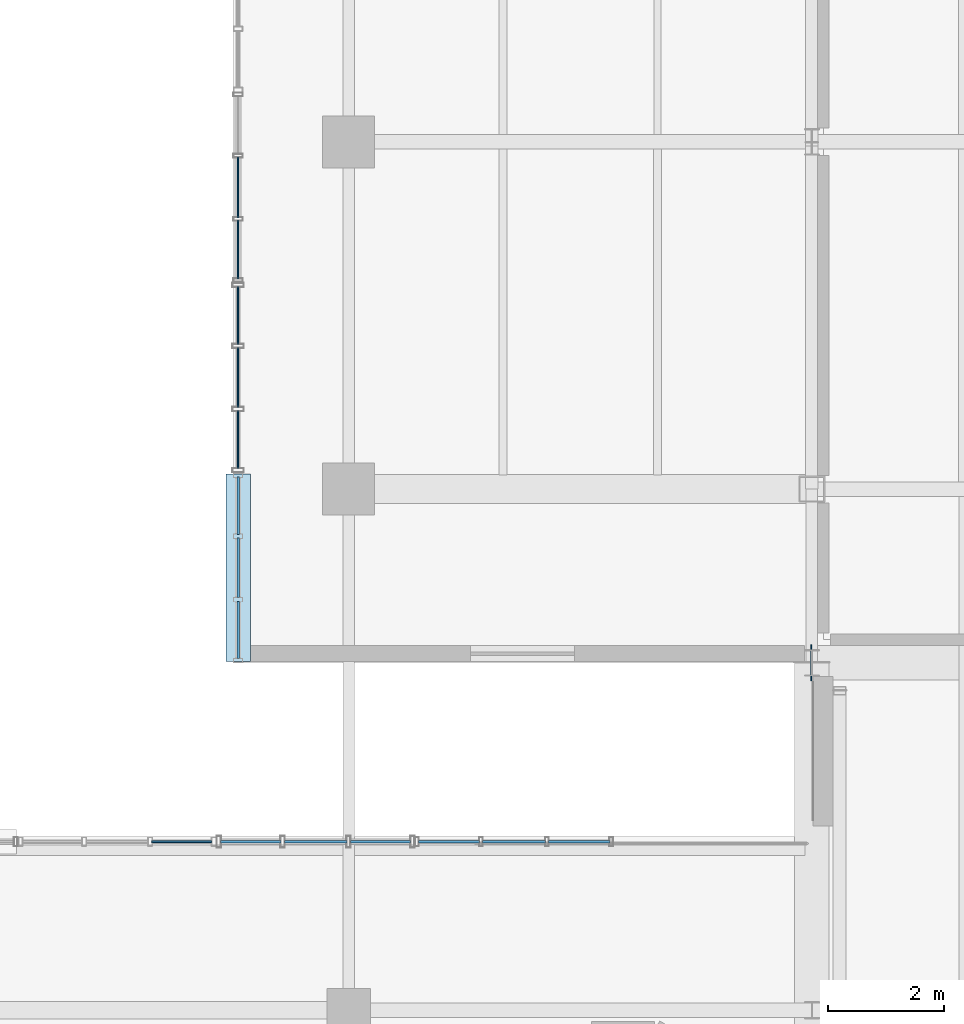
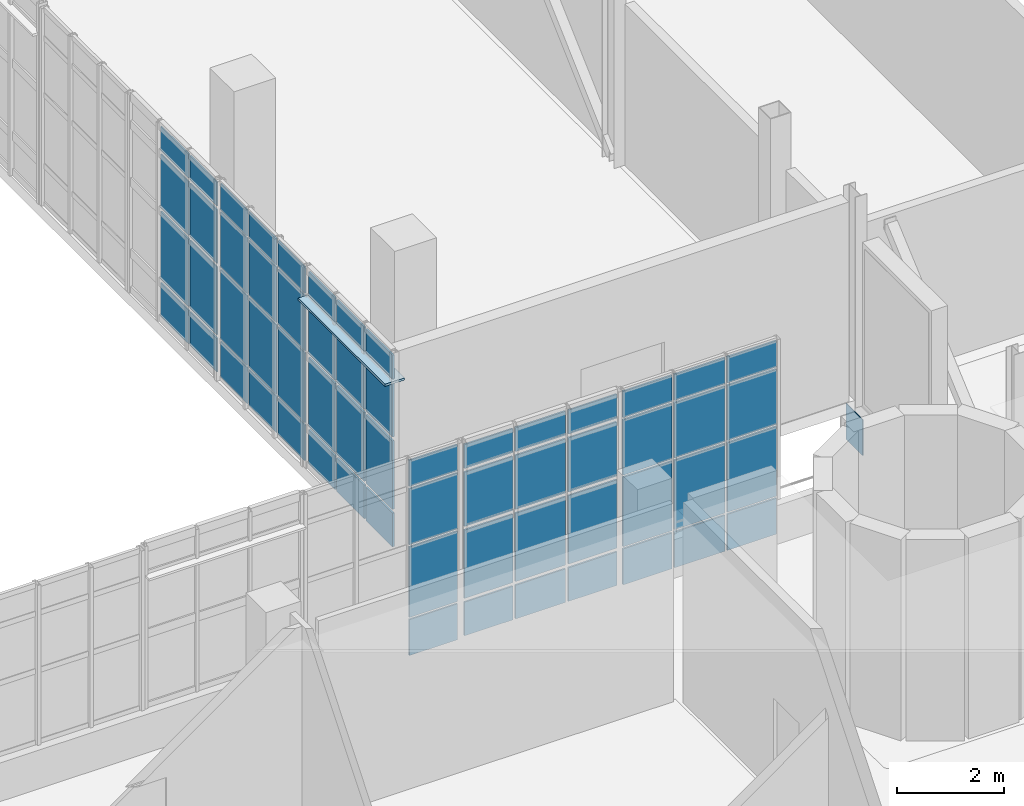
# One storey, part 69 of 102: 62 plates, 6 elements without a shape of their own.
"""IFC4 building model written with IfcOpenShell, lengths in metres."""

from ifc_helpers import new_model, si_unit, derived_unit, direction, frame, origin, origin_2d, place, context, subcontext, project, spatial, rectangle, extrude, material, layer, layer_set, type_object, element, aggregate, save


model = new_model("IFC4")

# Units and contexts
model_context = context("Model", 3, precision=1e-05, world=origin(), true_north=direction((0.0, 1.0)))
body_context = subcontext(model_context, "Body", "Model", "MODEL_VIEW")
ifc_project = project(units=[si_unit("LENGTHUNIT", "METRE"), si_unit("AREAUNIT", "SQUARE_METRE"), si_unit("VOLUMEUNIT", "CUBIC_METRE"), si_unit("PLANEANGLEUNIT", "RADIAN"), si_unit("MASSUNIT", "GRAM", prefix="KILO"), derived_unit("THERMALTRANSMITTANCEUNIT", [(si_unit("POWERUNIT", "WATT"), 1), (si_unit("LENGTHUNIT", "METRE"), -2), (si_unit("THERMODYNAMICTEMPERATUREUNIT", "KELVIN"), -1)])], contexts=[model_context])

# Site, building, storey
site_placement = place(None, origin())
site = spatial("IfcSite", under=ifc_project, at=site_placement, CompositionType="ELEMENT")
building_placement = place(site_placement, origin())
building = spatial("IfcBuilding", under=site, at=building_placement, Name="Nallur Shell Playhouse", CompositionType="ELEMENT")
storey_placement = place(building_placement, frame((0.0, 0.0, 15.0)))
storey = spatial("IfcBuildingStorey", under=building, at=storey_placement, Name="L04", CompositionType="ELEMENT", Elevation=15.0)

# Plate
ifc_material_1 = material(Name="Steel E350", Category="steel")
ifc_layer_1 = layer(ifc_material_1, 0.02001953125)
ifc_layer_set_1 = layer_set([ifc_layer_1], Name="Steel E350")
plate_type_1 = type_object("IfcPlateType", Name="PT-ENDCAP-20", PredefinedType="SHEET", material=ifc_layer_set_1)
plate_1_placement = place(storey_placement, frame((63.989990234375, 47.0, -1.06982421875), z_axis=(0.0, 0.0, 1.0), x_axis=(1.0, 0.0, 0.0)))
element("IfcPlate", 1, at=plate_1_placement, inside=storey, type_object=plate_type_1, Name="Hollow end cap EC-GB-L04-NA", PredefinedType="SHEET", context=body_context, shape_type="SweptSolid", body=[
    extrude(rectangle(XDim=0.02001953125, YDim=0.6201171875, at=origin_2d()), origin(), (0.0, 0.0, 1.0), 0.820068359375),
])

# Curtain wall, plates
ifc_material_2 = material(Name="Anodised Aluminium Double-Glazed Facade System", Category="aluminium")
ifc_layer_2 = layer(ifc_material_2, 0.1640625)
ifc_layer_set_2 = layer_set([ifc_layer_2], Name="Anodised Aluminium Double-Glazed Facade System")
curtain_wall_type_1 = type_object("IfcCurtainWallType", Name="CW-UNIT-25", PredefinedType="NOTDEFINED", material=ifc_layer_set_2)
curtain_wall_1_placement = place(storey_placement, origin())
curtain_wall_1 = element("IfcCurtainWall", 2, at=curtain_wall_1_placement, inside=storey, type_object=curtain_wall_type_1, Name="Unitised curtain wall CW-153 (L04)", PredefinedType="NOTDEFINED")
ifc_material_3 = material(Name="Solar-Control Low-E Laminated Insulating Glass", Category="glass")
ifc_layer_3 = layer(ifc_material_3, 0.02587890625)
ifc_layer_set_3 = layer_set([ifc_layer_3], Name="Solar-Control Low-E Laminated Insulating Glass")
plate_type_2 = type_object("IfcPlateType", Name="PT-GLZ-01", PredefinedType="CURTAIN_PANEL", material=ifc_layer_set_3)
plate_2_placement = place(storey_placement, frame((54.090087890625, 50.85546875, 0.05712890625), z_axis=(0.0, 0.0, 1.0), x_axis=(0.0, 1.0, 0.0)))
plate_2 = element("IfcPlate", 3, at=plate_2_placement, type_object=plate_type_2, Name="CW-25 panel 1.1", PredefinedType="CURTAIN_PANEL", context=body_context, shape_type="SweptSolid", body=[
    extrude(rectangle(XDim=0.995361328125, YDim=0.02587890625, at=origin_2d()), origin(), (0.0, 0.0, 1.0), 0.818603515625),
])
plate_3_placement = place(storey_placement, frame((54.090087890625, 50.85546875, 0.924560546875), z_axis=(0.0, 0.0, 1.0), x_axis=(0.0, 1.0, 0.0)))
plate_3 = element("IfcPlate", 4, at=plate_3_placement, type_object=plate_type_2, Name="CW-25 panel 1.2", PredefinedType="CURTAIN_PANEL", context=body_context, shape_type="SweptSolid", body=[
    extrude(rectangle(XDim=0.995361328125, YDim=0.02587890625, at=origin_2d()), origin(), (0.0, 0.0, 1.0), 1.587890625),
])
plate_4_placement = place(storey_placement, frame((54.090087890625, 50.85546875, 2.5615234375), z_axis=(0.0, 0.0, 1.0), x_axis=(0.0, 1.0, 0.0)))
plate_4 = element("IfcPlate", 5, at=plate_4_placement, type_object=plate_type_2, Name="CW-25 panel 1.3", PredefinedType="CURTAIN_PANEL", context=body_context, shape_type="SweptSolid", body=[
    extrude(rectangle(XDim=0.995361328125, YDim=0.02587890625, at=origin_2d()), origin(), (0.0, 0.0, 1.0), 1.263916015625),
])
plate_5_placement = place(storey_placement, frame((54.090087890625, 50.85546875, 3.87451171875), z_axis=(0.0, 0.0, 1.0), x_axis=(0.0, 1.0, 0.0)))
plate_5 = element("IfcPlate", 6, at=plate_5_placement, type_object=plate_type_2, Name="CW-25 panel 1.4", PredefinedType="CURTAIN_PANEL", context=body_context, shape_type="SweptSolid", body=[
    extrude(rectangle(XDim=0.995361328125, YDim=0.02587890625, at=origin_2d()), origin(), (0.0, 0.0, 1.0), 0.598388671875),
])
plate_6_placement = place(storey_placement, frame((54.090087890625, 51.928466796875, 0.05712890625), z_axis=(0.0, 0.0, 1.0), x_axis=(0.0, 1.0, 0.0)))
plate_6 = element("IfcPlate", 7, at=plate_6_placement, type_object=plate_type_2, Name="CW-25 panel 2.1", PredefinedType="CURTAIN_PANEL", context=body_context, shape_type="SweptSolid", body=[
    extrude(rectangle(XDim=1.032958984375, YDim=0.02587890625, at=origin_2d()), origin(), (0.0, 0.0, 1.0), 0.818603515625),
])
plate_7_placement = place(storey_placement, frame((54.090087890625, 51.928466796875, 0.924560546875), z_axis=(0.0, 0.0, 1.0), x_axis=(0.0, 1.0, 0.0)))
plate_7 = element("IfcPlate", 8, at=plate_7_placement, type_object=plate_type_2, Name="CW-25 panel 2.2", PredefinedType="CURTAIN_PANEL", context=body_context, shape_type="SweptSolid", body=[
    extrude(rectangle(XDim=1.032958984375, YDim=0.02587890625, at=origin_2d()), origin(), (0.0, 0.0, 1.0), 1.587890625),
])
plate_8_placement = place(storey_placement, frame((54.090087890625, 51.928466796875, 2.5615234375), z_axis=(0.0, 0.0, 1.0), x_axis=(0.0, 1.0, 0.0)))
plate_8 = element("IfcPlate", 9, at=plate_8_placement, type_object=plate_type_2, Name="CW-25 panel 2.3", PredefinedType="CURTAIN_PANEL", context=body_context, shape_type="SweptSolid", body=[
    extrude(rectangle(XDim=1.032958984375, YDim=0.02587890625, at=origin_2d()), origin(), (0.0, 0.0, 1.0), 1.263916015625),
])
plate_9_placement = place(storey_placement, frame((54.090087890625, 51.928466796875, 3.87451171875), z_axis=(0.0, 0.0, 1.0), x_axis=(0.0, 1.0, 0.0)))
plate_9 = element("IfcPlate", 10, at=plate_9_placement, type_object=plate_type_2, Name="CW-25 panel 2.4", PredefinedType="CURTAIN_PANEL", context=body_context, shape_type="SweptSolid", body=[
    extrude(rectangle(XDim=1.032958984375, YDim=0.02587890625, at=origin_2d()), origin(), (0.0, 0.0, 1.0), 0.598388671875),
])
plate_10_placement = place(storey_placement, frame((54.090087890625, 53.001708984375, 0.05712890625), z_axis=(0.0, 0.0, 1.0), x_axis=(0.0, 1.0, 0.0)))
plate_10 = element("IfcPlate", 11, at=plate_10_placement, type_object=plate_type_2, Name="CW-25 panel 3.1", PredefinedType="CURTAIN_PANEL", context=body_context, shape_type="SweptSolid", body=[
    extrude(rectangle(XDim=0.995361328125, YDim=0.02587890625, at=origin_2d()), origin(), (0.0, 0.0, 1.0), 0.818603515625),
])
plate_11_placement = place(storey_placement, frame((54.090087890625, 53.001708984375, 0.924560546875), z_axis=(0.0, 0.0, 1.0), x_axis=(0.0, 1.0, 0.0)))
plate_11 = element("IfcPlate", 12, at=plate_11_placement, type_object=plate_type_2, Name="CW-25 panel 3.2", PredefinedType="CURTAIN_PANEL", context=body_context, shape_type="SweptSolid", body=[
    extrude(rectangle(XDim=0.995361328125, YDim=0.02587890625, at=origin_2d()), origin(), (0.0, 0.0, 1.0), 1.587890625),
])
plate_12_placement = place(storey_placement, frame((54.090087890625, 53.001708984375, 2.5615234375), z_axis=(0.0, 0.0, 1.0), x_axis=(0.0, 1.0, 0.0)))
plate_12 = element("IfcPlate", 13, at=plate_12_placement, type_object=plate_type_2, Name="CW-25 panel 3.3", PredefinedType="CURTAIN_PANEL", context=body_context, shape_type="SweptSolid", body=[
    extrude(rectangle(XDim=0.995361328125, YDim=0.02587890625, at=origin_2d()), origin(), (0.0, 0.0, 1.0), 1.263916015625),
])
plate_13_placement = place(storey_placement, frame((54.090087890625, 53.001708984375, 3.87451171875), z_axis=(0.0, 0.0, 1.0), x_axis=(0.0, 1.0, 0.0)))
plate_13 = element("IfcPlate", 14, at=plate_13_placement, type_object=plate_type_2, Name="CW-25 panel 3.4", PredefinedType="CURTAIN_PANEL", context=body_context, shape_type="SweptSolid", body=[
    extrude(rectangle(XDim=0.995361328125, YDim=0.02587890625, at=origin_2d()), origin(), (0.0, 0.0, 1.0), 0.598388671875),
])
aggregate(curtain_wall_1, [plate_2, plate_3, plate_4, plate_5, plate_6, plate_7, plate_8, plate_9, plate_10, plate_11, plate_12, plate_13])

ifc_layer_4 = layer(ifc_material_2, 0.16796875)
ifc_layer_set_4 = layer_set([ifc_layer_4], Name="Anodised Aluminium Double-Glazed Facade System")
curtain_wall_type_2 = type_object("IfcCurtainWallType", Name="CW-UNIT-26", PredefinedType="NOTDEFINED", material=ifc_layer_set_4)
curtain_wall_2_placement = place(storey_placement, origin())
curtain_wall_2 = element("IfcCurtainWall", 15, at=curtain_wall_2_placement, inside=storey, type_object=curtain_wall_type_2, Name="Unitised curtain wall CW-154 (L04)", PredefinedType="NOTDEFINED")
ifc_layer_5 = layer(ifc_material_3, 0.028076171875)
ifc_layer_set_5 = layer_set([ifc_layer_5], Name="Solar-Control Low-E Laminated Insulating Glass")
plate_type_3 = type_object("IfcPlateType", Name="PT-GLZ-02", PredefinedType="CURTAIN_PANEL", material=ifc_layer_set_5)
plate_14_placement = place(storey_placement, frame((54.090087890625, 54.138671875, 0.092041015625), z_axis=(0.0, 0.0, 1.0), x_axis=(0.0, 1.0, 0.0)))
plate_14 = element("IfcPlate", 16, at=plate_14_placement, type_object=plate_type_3, Name="CW-26 panel 1.1", PredefinedType="CURTAIN_PANEL", context=body_context, shape_type="SweptSolid", body=[
    extrude(rectangle(XDim=1.010498046875, YDim=0.028076171875, at=origin_2d()), origin(), (0.0, 0.0, 1.0), 0.76611328125),
])
plate_15_placement = place(storey_placement, frame((54.090087890625, 54.138671875, 0.94189453125), z_axis=(0.0, 0.0, 1.0), x_axis=(0.0, 1.0, 0.0)))
plate_15 = element("IfcPlate", 17, at=plate_15_placement, type_object=plate_type_3, Name="CW-26 panel 1.2", PredefinedType="CURTAIN_PANEL", context=body_context, shape_type="SweptSolid", body=[
    extrude(rectangle(XDim=1.010498046875, YDim=0.028076171875, at=origin_2d()), origin(), (0.0, 0.0, 1.0), 1.5419921875),
])
plate_16_placement = place(storey_placement, frame((54.090087890625, 54.138671875, 2.56787109375), z_axis=(0.0, 0.0, 1.0), x_axis=(0.0, 1.0, 0.0)))
plate_16 = element("IfcPlate", 18, at=plate_16_placement, type_object=plate_type_3, Name="CW-26 panel 1.3", PredefinedType="CURTAIN_PANEL", context=body_context, shape_type="SweptSolid", body=[
    extrude(rectangle(XDim=1.010498046875, YDim=0.028076171875, at=origin_2d()), origin(), (0.0, 0.0, 1.0), 1.219970703125),
])
plate_17_placement = place(storey_placement, frame((54.090087890625, 54.138671875, 3.8720703125), z_axis=(0.0, 0.0, 1.0), x_axis=(0.0, 1.0, 0.0)))
plate_17 = element("IfcPlate", 19, at=plate_17_placement, type_object=plate_type_3, Name="CW-26 panel 1.4", PredefinedType="CURTAIN_PANEL", context=body_context, shape_type="SweptSolid", body=[
    extrude(rectangle(XDim=1.010498046875, YDim=0.028076171875, at=origin_2d()), origin(), (0.0, 0.0, 1.0), 0.5458984375),
])
plate_18_placement = place(storey_placement, frame((54.090087890625, 55.21435546875, 0.092041015625), z_axis=(0.0, 0.0, 1.0), x_axis=(0.0, 1.0, 0.0)))
plate_18 = element("IfcPlate", 20, at=plate_18_placement, type_object=plate_type_3, Name="CW-26 panel 2.1", PredefinedType="CURTAIN_PANEL", context=body_context, shape_type="SweptSolid", body=[
    extrude(rectangle(XDim=1.04296875, YDim=0.028076171875, at=origin_2d()), origin(), (0.0, 0.0, 1.0), 0.76611328125),
])
plate_19_placement = place(storey_placement, frame((54.090087890625, 55.21435546875, 0.94189453125), z_axis=(0.0, 0.0, 1.0), x_axis=(0.0, 1.0, 0.0)))
plate_19 = element("IfcPlate", 21, at=plate_19_placement, type_object=plate_type_3, Name="CW-26 panel 2.2", PredefinedType="CURTAIN_PANEL", context=body_context, shape_type="SweptSolid", body=[
    extrude(rectangle(XDim=1.04296875, YDim=0.028076171875, at=origin_2d()), origin(), (0.0, 0.0, 1.0), 1.5419921875),
])
plate_20_placement = place(storey_placement, frame((54.090087890625, 55.21435546875, 2.56787109375), z_axis=(0.0, 0.0, 1.0), x_axis=(0.0, 1.0, 0.0)))
plate_20 = element("IfcPlate", 22, at=plate_20_placement, type_object=plate_type_3, Name="CW-26 panel 2.3", PredefinedType="CURTAIN_PANEL", context=body_context, shape_type="SweptSolid", body=[
    extrude(rectangle(XDim=1.04296875, YDim=0.028076171875, at=origin_2d()), origin(), (0.0, 0.0, 1.0), 1.219970703125),
])
plate_21_placement = place(storey_placement, frame((54.090087890625, 55.21435546875, 3.8720703125), z_axis=(0.0, 0.0, 1.0), x_axis=(0.0, 1.0, 0.0)))
plate_21 = element("IfcPlate", 23, at=plate_21_placement, type_object=plate_type_3, Name="CW-26 panel 2.4", PredefinedType="CURTAIN_PANEL", context=body_context, shape_type="SweptSolid", body=[
    extrude(rectangle(XDim=1.04296875, YDim=0.028076171875, at=origin_2d()), origin(), (0.0, 0.0, 1.0), 0.5458984375),
])
aggregate(curtain_wall_2, [plate_14, plate_15, plate_16, plate_17, plate_18, plate_19, plate_20, plate_21])

ifc_layer_6 = layer(ifc_material_2, 0.172119140625)
ifc_layer_set_6 = layer_set([ifc_layer_6], Name="Anodised Aluminium Double-Glazed Facade System")
curtain_wall_type_3 = type_object("IfcCurtainWallType", Name="CW-UNIT-21", PredefinedType="NOTDEFINED", material=ifc_layer_set_6)
curtain_wall_3_placement = place(storey_placement, origin())
curtain_wall_3 = element("IfcCurtainWall", 24, at=curtain_wall_3_placement, inside=storey, type_object=curtain_wall_type_3, Name="Unitised curtain wall CW-149 (L04)", PredefinedType="NOTDEFINED")
ifc_layer_7 = layer(ifc_material_3, 0.033935546875)
ifc_layer_set_7 = layer_set([ifc_layer_7], Name="Solar-Control Low-E Laminated Insulating Glass")
plate_type_4 = type_object("IfcPlateType", Name="PT-GLZ-05", PredefinedType="CURTAIN_PANEL", material=ifc_layer_set_7)
plate_22_placement = place(storey_placement, frame((53.11962890625, 43.909912109375, 0.05712890625), z_axis=(0.0, 0.0, 1.0), x_axis=(1.0, 0.0, 0.0)))
plate_22 = element("IfcPlate", 25, at=plate_22_placement, type_object=plate_type_4, Name="CW-21 panel 3.1", PredefinedType="CURTAIN_PANEL", context=body_context, shape_type="SweptSolid", body=[
    extrude(rectangle(XDim=1.03564453125, YDim=0.033935546875, at=origin_2d()), origin(), (0.0, 0.0, 1.0), 0.818603515625),
])
plate_23_placement = place(storey_placement, frame((53.11962890625, 43.909912109375, 0.924560546875), z_axis=(0.0, 0.0, 1.0), x_axis=(1.0, 0.0, 0.0)))
plate_23 = element("IfcPlate", 26, at=plate_23_placement, type_object=plate_type_4, Name="CW-21 panel 3.2", PredefinedType="CURTAIN_PANEL", context=body_context, shape_type="SweptSolid", body=[
    extrude(rectangle(XDim=1.03564453125, YDim=0.033935546875, at=origin_2d()), origin(), (0.0, 0.0, 1.0), 1.60498046875),
])
plate_24_placement = place(storey_placement, frame((53.11962890625, 43.909912109375, 2.57861328125), z_axis=(0.0, 0.0, 1.0), x_axis=(1.0, 0.0, 0.0)))
plate_24 = element("IfcPlate", 27, at=plate_24_placement, type_object=plate_type_4, Name="CW-21 panel 3.3", PredefinedType="CURTAIN_PANEL", context=body_context, shape_type="SweptSolid", body=[
    extrude(rectangle(XDim=1.03564453125, YDim=0.033935546875, at=origin_2d()), origin(), (0.0, 0.0, 1.0), 1.277099609375),
])
plate_25_placement = place(storey_placement, frame((53.11962890625, 43.909912109375, 3.90478515625), z_axis=(0.0, 0.0, 1.0), x_axis=(1.0, 0.0, 0.0)))
plate_25 = element("IfcPlate", 28, at=plate_25_placement, type_object=plate_type_4, Name="CW-21 panel 3.4", PredefinedType="CURTAIN_PANEL", context=body_context, shape_type="SweptSolid", body=[
    extrude(rectangle(XDim=1.03564453125, YDim=0.033935546875, at=origin_2d()), origin(), (0.0, 0.0, 1.0), 0.598388671875),
])
aggregate(curtain_wall_3, [plate_22, plate_23, plate_24, plate_25])

ifc_layer_8 = layer(ifc_material_2, 0.176025390625)
ifc_layer_set_8 = layer_set([ifc_layer_8], Name="Anodised Aluminium Double-Glazed Facade System")
curtain_wall_type_4 = type_object("IfcCurtainWallType", Name="CW-UNIT-22", PredefinedType="NOTDEFINED", material=ifc_layer_set_8)
curtain_wall_4_placement = place(storey_placement, origin())
curtain_wall_4 = element("IfcCurtainWall", 29, at=curtain_wall_4_placement, inside=storey, type_object=curtain_wall_type_4, Name="Unitised curtain wall CW-150 (L04)", PredefinedType="NOTDEFINED")
ifc_layer_9 = layer(ifc_material_3, 0.035888671875)
ifc_layer_set_9 = layer_set([ifc_layer_9], Name="Solar-Control Low-E Laminated Insulating Glass")
plate_type_5 = type_object("IfcPlateType", Name="PT-GLZ-06", PredefinedType="CURTAIN_PANEL", material=ifc_layer_set_9)
plate_26_placement = place(storey_placement, frame((54.307861328125, 43.909912109375, 0.092041015625), z_axis=(0.0, 0.0, 1.0), x_axis=(1.0, 0.0, 0.0)))
plate_26 = element("IfcPlate", 30, at=plate_26_placement, type_object=plate_type_5, Name="CW-22 panel 1.1", PredefinedType="CURTAIN_PANEL", context=body_context, shape_type="SweptSolid", body=[
    extrude(rectangle(XDim=1.04296875, YDim=0.035888671875, at=origin_2d()), origin(), (0.0, 0.0, 1.0), 0.76611328125),
])
plate_27_placement = place(storey_placement, frame((54.307861328125, 43.909912109375, 0.94189453125), z_axis=(0.0, 0.0, 1.0), x_axis=(1.0, 0.0, 0.0)))
plate_27 = element("IfcPlate", 31, at=plate_27_placement, type_object=plate_type_5, Name="CW-22 panel 1.2", PredefinedType="CURTAIN_PANEL", context=body_context, shape_type="SweptSolid", body=[
    extrude(rectangle(XDim=1.04296875, YDim=0.035888671875, at=origin_2d()), origin(), (0.0, 0.0, 1.0), 1.55810546875),
])
plate_28_placement = place(storey_placement, frame((54.307861328125, 43.909912109375, 2.583984375), z_axis=(0.0, 0.0, 1.0), x_axis=(1.0, 0.0, 0.0)))
plate_28 = element("IfcPlate", 32, at=plate_28_placement, type_object=plate_type_5, Name="CW-22 panel 1.3", PredefinedType="CURTAIN_PANEL", context=body_context, shape_type="SweptSolid", body=[
    extrude(rectangle(XDim=1.04296875, YDim=0.035888671875, at=origin_2d()), origin(), (0.0, 0.0, 1.0), 1.23388671875),
])
plate_29_placement = place(storey_placement, frame((54.307861328125, 43.909912109375, 3.902099609375), z_axis=(0.0, 0.0, 1.0), x_axis=(1.0, 0.0, 0.0)))
plate_29 = element("IfcPlate", 33, at=plate_29_placement, type_object=plate_type_5, Name="CW-22 panel 1.4", PredefinedType="CURTAIN_PANEL", context=body_context, shape_type="SweptSolid", body=[
    extrude(rectangle(XDim=1.04296875, YDim=0.035888671875, at=origin_2d()), origin(), (0.0, 0.0, 1.0), 0.5458984375),
])
plate_30_placement = place(storey_placement, frame((55.4287109375, 43.909912109375, 0.092041015625), z_axis=(0.0, 0.0, 1.0), x_axis=(1.0, 0.0, 0.0)))
plate_30 = element("IfcPlate", 34, at=plate_30_placement, type_object=plate_type_5, Name="CW-22 panel 2.1", PredefinedType="CURTAIN_PANEL", context=body_context, shape_type="SweptSolid", body=[
    extrude(rectangle(XDim=1.08056640625, YDim=0.035888671875, at=origin_2d()), origin(), (0.0, 0.0, 1.0), 0.76611328125),
])
plate_31_placement = place(storey_placement, frame((55.4287109375, 43.909912109375, 0.94189453125), z_axis=(0.0, 0.0, 1.0), x_axis=(1.0, 0.0, 0.0)))
plate_31 = element("IfcPlate", 35, at=plate_31_placement, type_object=plate_type_5, Name="CW-22 panel 2.2", PredefinedType="CURTAIN_PANEL", context=body_context, shape_type="SweptSolid", body=[
    extrude(rectangle(XDim=1.08056640625, YDim=0.035888671875, at=origin_2d()), origin(), (0.0, 0.0, 1.0), 1.55810546875),
])
plate_32_placement = place(storey_placement, frame((55.4287109375, 43.909912109375, 2.583984375), z_axis=(0.0, 0.0, 1.0), x_axis=(1.0, 0.0, 0.0)))
plate_32 = element("IfcPlate", 36, at=plate_32_placement, type_object=plate_type_5, Name="CW-22 panel 2.3", PredefinedType="CURTAIN_PANEL", context=body_context, shape_type="SweptSolid", body=[
    extrude(rectangle(XDim=1.08056640625, YDim=0.035888671875, at=origin_2d()), origin(), (0.0, 0.0, 1.0), 1.23388671875),
])
plate_33_placement = place(storey_placement, frame((55.4287109375, 43.909912109375, 3.902099609375), z_axis=(0.0, 0.0, 1.0), x_axis=(1.0, 0.0, 0.0)))
plate_33 = element("IfcPlate", 37, at=plate_33_placement, type_object=plate_type_5, Name="CW-22 panel 2.4", PredefinedType="CURTAIN_PANEL", context=body_context, shape_type="SweptSolid", body=[
    extrude(rectangle(XDim=1.08056640625, YDim=0.035888671875, at=origin_2d()), origin(), (0.0, 0.0, 1.0), 0.5458984375),
])
plate_34_placement = place(storey_placement, frame((56.54931640625, 43.909912109375, 0.092041015625), z_axis=(0.0, 0.0, 1.0), x_axis=(1.0, 0.0, 0.0)))
plate_34 = element("IfcPlate", 38, at=plate_34_placement, type_object=plate_type_5, Name="CW-22 panel 3.1", PredefinedType="CURTAIN_PANEL", context=body_context, shape_type="SweptSolid", body=[
    extrude(rectangle(XDim=1.04296875, YDim=0.035888671875, at=origin_2d()), origin(), (0.0, 0.0, 1.0), 0.76611328125),
])
plate_35_placement = place(storey_placement, frame((56.54931640625, 43.909912109375, 0.94189453125), z_axis=(0.0, 0.0, 1.0), x_axis=(1.0, 0.0, 0.0)))
plate_35 = element("IfcPlate", 39, at=plate_35_placement, type_object=plate_type_5, Name="CW-22 panel 3.2", PredefinedType="CURTAIN_PANEL", context=body_context, shape_type="SweptSolid", body=[
    extrude(rectangle(XDim=1.04296875, YDim=0.035888671875, at=origin_2d()), origin(), (0.0, 0.0, 1.0), 1.55810546875),
])
plate_36_placement = place(storey_placement, frame((56.54931640625, 43.909912109375, 2.583984375), z_axis=(0.0, 0.0, 1.0), x_axis=(1.0, 0.0, 0.0)))
plate_36 = element("IfcPlate", 40, at=plate_36_placement, type_object=plate_type_5, Name="CW-22 panel 3.3", PredefinedType="CURTAIN_PANEL", context=body_context, shape_type="SweptSolid", body=[
    extrude(rectangle(XDim=1.04296875, YDim=0.035888671875, at=origin_2d()), origin(), (0.0, 0.0, 1.0), 1.23388671875),
])
plate_37_placement = place(storey_placement, frame((56.54931640625, 43.909912109375, 3.902099609375), z_axis=(0.0, 0.0, 1.0), x_axis=(1.0, 0.0, 0.0)))
plate_37 = element("IfcPlate", 41, at=plate_37_placement, type_object=plate_type_5, Name="CW-22 panel 3.4", PredefinedType="CURTAIN_PANEL", context=body_context, shape_type="SweptSolid", body=[
    extrude(rectangle(XDim=1.04296875, YDim=0.035888671875, at=origin_2d()), origin(), (0.0, 0.0, 1.0), 0.5458984375),
])
aggregate(curtain_wall_4, [plate_26, plate_27, plate_28, plate_29, plate_30, plate_31, plate_32, plate_33, plate_34, plate_35, plate_36, plate_37])

ifc_layer_10 = layer(ifc_material_2, 0.179931640625)
ifc_layer_set_10 = layer_set([ifc_layer_10], Name="Anodised Aluminium Double-Glazed Facade System")
curtain_wall_type_5 = type_object("IfcCurtainWallType", Name="CW-UNIT-23", PredefinedType="NOTDEFINED", material=ifc_layer_set_10)
curtain_wall_5_placement = place(storey_placement, origin())
curtain_wall_5 = element("IfcCurtainWall", 42, at=curtain_wall_5_placement, inside=storey, type_object=curtain_wall_type_5, Name="Unitised curtain wall CW-151 (L04)", PredefinedType="NOTDEFINED")
ifc_layer_11 = layer(ifc_material_3, 0.0380859375)
ifc_layer_set_11 = layer_set([ifc_layer_11], Name="Solar-Control Low-E Laminated Insulating Glass")
plate_type_6 = type_object("IfcPlateType", Name="PT-GLZ-07", PredefinedType="CURTAIN_PANEL", material=ifc_layer_set_11)
plate_38_placement = place(storey_placement, frame((57.73388671875, 43.909912109375, 0.05712890625), z_axis=(0.0, 0.0, 1.0), x_axis=(1.0, 0.0, 0.0)))
plate_38 = element("IfcPlate", 43, at=plate_38_placement, type_object=plate_type_6, Name="CW-23 panel 1.1", PredefinedType="CURTAIN_PANEL", context=body_context, shape_type="SweptSolid", body=[
    extrude(rectangle(XDim=1.05810546875, YDim=0.0380859375, at=origin_2d()), origin(), (0.0, 0.0, 1.0), 0.818603515625),
])
plate_39_placement = place(storey_placement, frame((57.73388671875, 43.909912109375, 0.924560546875), z_axis=(0.0, 0.0, 1.0), x_axis=(1.0, 0.0, 0.0)))
plate_39 = element("IfcPlate", 44, at=plate_39_placement, type_object=plate_type_6, Name="CW-23 panel 1.2", PredefinedType="CURTAIN_PANEL", context=body_context, shape_type="SweptSolid", body=[
    extrude(rectangle(XDim=1.05810546875, YDim=0.0380859375, at=origin_2d()), origin(), (0.0, 0.0, 1.0), 1.58203125),
])
plate_40_placement = place(storey_placement, frame((57.73388671875, 43.909912109375, 2.5556640625), z_axis=(0.0, 0.0, 1.0), x_axis=(1.0, 0.0, 0.0)))
plate_40 = element("IfcPlate", 45, at=plate_40_placement, type_object=plate_type_6, Name="CW-23 panel 1.3", PredefinedType="CURTAIN_PANEL", context=body_context, shape_type="SweptSolid", body=[
    extrude(rectangle(XDim=1.05810546875, YDim=0.0380859375, at=origin_2d()), origin(), (0.0, 0.0, 1.0), 1.260009765625),
])
plate_41_placement = place(storey_placement, frame((57.73388671875, 43.909912109375, 3.86474609375), z_axis=(0.0, 0.0, 1.0), x_axis=(1.0, 0.0, 0.0)))
plate_41 = element("IfcPlate", 46, at=plate_41_placement, type_object=plate_type_6, Name="CW-23 panel 1.4", PredefinedType="CURTAIN_PANEL", context=body_context, shape_type="SweptSolid", body=[
    extrude(rectangle(XDim=1.05810546875, YDim=0.0380859375, at=origin_2d()), origin(), (0.0, 0.0, 1.0), 0.598388671875),
])
plate_42_placement = place(storey_placement, frame((58.857177734375, 43.909912109375, 0.05712890625), z_axis=(0.0, 0.0, 1.0), x_axis=(1.0, 0.0, 0.0)))
plate_42 = element("IfcPlate", 47, at=plate_42_placement, type_object=plate_type_6, Name="CW-23 panel 2.1", PredefinedType="CURTAIN_PANEL", context=body_context, shape_type="SweptSolid", body=[
    extrude(rectangle(XDim=1.090576171875, YDim=0.0380859375, at=origin_2d()), origin(), (0.0, 0.0, 1.0), 0.818603515625),
])
plate_43_placement = place(storey_placement, frame((58.857177734375, 43.909912109375, 0.924560546875), z_axis=(0.0, 0.0, 1.0), x_axis=(1.0, 0.0, 0.0)))
plate_43 = element("IfcPlate", 48, at=plate_43_placement, type_object=plate_type_6, Name="CW-23 panel 2.2", PredefinedType="CURTAIN_PANEL", context=body_context, shape_type="SweptSolid", body=[
    extrude(rectangle(XDim=1.090576171875, YDim=0.0380859375, at=origin_2d()), origin(), (0.0, 0.0, 1.0), 1.58203125),
])
plate_44_placement = place(storey_placement, frame((58.857177734375, 43.909912109375, 2.5556640625), z_axis=(0.0, 0.0, 1.0), x_axis=(1.0, 0.0, 0.0)))
plate_44 = element("IfcPlate", 49, at=plate_44_placement, type_object=plate_type_6, Name="CW-23 panel 2.3", PredefinedType="CURTAIN_PANEL", context=body_context, shape_type="SweptSolid", body=[
    extrude(rectangle(XDim=1.090576171875, YDim=0.0380859375, at=origin_2d()), origin(), (0.0, 0.0, 1.0), 1.260009765625),
])
plate_45_placement = place(storey_placement, frame((58.857177734375, 43.909912109375, 3.86474609375), z_axis=(0.0, 0.0, 1.0), x_axis=(1.0, 0.0, 0.0)))
plate_45 = element("IfcPlate", 50, at=plate_45_placement, type_object=plate_type_6, Name="CW-23 panel 2.4", PredefinedType="CURTAIN_PANEL", context=body_context, shape_type="SweptSolid", body=[
    extrude(rectangle(XDim=1.090576171875, YDim=0.0380859375, at=origin_2d()), origin(), (0.0, 0.0, 1.0), 0.598388671875),
])
plate_46_placement = place(storey_placement, frame((59.98046875, 43.909912109375, 0.05712890625), z_axis=(0.0, 0.0, 1.0), x_axis=(1.0, 0.0, 0.0)))
plate_46 = element("IfcPlate", 51, at=plate_46_placement, type_object=plate_type_6, Name="CW-23 panel 3.1", PredefinedType="CURTAIN_PANEL", context=body_context, shape_type="SweptSolid", body=[
    extrude(rectangle(XDim=1.05810546875, YDim=0.0380859375, at=origin_2d()), origin(), (0.0, 0.0, 1.0), 0.818603515625),
])
plate_47_placement = place(storey_placement, frame((59.98046875, 43.909912109375, 0.924560546875), z_axis=(0.0, 0.0, 1.0), x_axis=(1.0, 0.0, 0.0)))
plate_47 = element("IfcPlate", 52, at=plate_47_placement, type_object=plate_type_6, Name="CW-23 panel 3.2", PredefinedType="CURTAIN_PANEL", context=body_context, shape_type="SweptSolid", body=[
    extrude(rectangle(XDim=1.05810546875, YDim=0.0380859375, at=origin_2d()), origin(), (0.0, 0.0, 1.0), 1.58203125),
])
plate_48_placement = place(storey_placement, frame((59.98046875, 43.909912109375, 2.5556640625), z_axis=(0.0, 0.0, 1.0), x_axis=(1.0, 0.0, 0.0)))
plate_48 = element("IfcPlate", 53, at=plate_48_placement, type_object=plate_type_6, Name="CW-23 panel 3.3", PredefinedType="CURTAIN_PANEL", context=body_context, shape_type="SweptSolid", body=[
    extrude(rectangle(XDim=1.05810546875, YDim=0.0380859375, at=origin_2d()), origin(), (0.0, 0.0, 1.0), 1.260009765625),
])
plate_49_placement = place(storey_placement, frame((59.98046875, 43.909912109375, 3.86474609375), z_axis=(0.0, 0.0, 1.0), x_axis=(1.0, 0.0, 0.0)))
plate_49 = element("IfcPlate", 54, at=plate_49_placement, type_object=plate_type_6, Name="CW-23 panel 3.4", PredefinedType="CURTAIN_PANEL", context=body_context, shape_type="SweptSolid", body=[
    extrude(rectangle(XDim=1.05810546875, YDim=0.0380859375, at=origin_2d()), origin(), (0.0, 0.0, 1.0), 0.598388671875),
])
aggregate(curtain_wall_5, [plate_38, plate_39, plate_40, plate_41, plate_42, plate_43, plate_44, plate_45, plate_46, plate_47, plate_48, plate_49])

ifc_layer_12 = layer(ifc_material_2, 0.159912109375)
ifc_layer_set_12 = layer_set([ifc_layer_12], Name="Anodised Aluminium Double-Glazed Facade System")
curtain_wall_type_6 = type_object("IfcCurtainWallType", Name="CW-UNIT-24", PredefinedType="NOTDEFINED", material=ifc_layer_set_12)
curtain_wall_6_placement = place(storey_placement, origin())
curtain_wall_6 = element("IfcCurtainWall", 55, at=curtain_wall_6_placement, inside=storey, type_object=curtain_wall_type_6, Name="Unitised curtain wall CW-152 (L04)", PredefinedType="NOTDEFINED")
ifc_layer_13 = layer(ifc_material_3, 0.0400390625)
ifc_layer_set_13 = layer_set([ifc_layer_13], Name="Solar-Control Low-E Laminated Insulating Glass")
plate_type_7 = type_object("IfcPlateType", Name="PT-GLZ-08", PredefinedType="CURTAIN_PANEL", material=ifc_layer_set_13)
plate_50_placement = place(storey_placement, frame((54.090087890625, 47.56689453125, 0.092041015625), z_axis=(0.0, 0.0, 1.0), x_axis=(0.0, 1.0, 0.0)))
plate_50 = element("IfcPlate", 56, at=plate_50_placement, type_object=plate_type_7, Name="CW-24 panel 1.1", PredefinedType="CURTAIN_PANEL", context=body_context, shape_type="SweptSolid", body=[
    extrude(rectangle(XDim=0.989501953125, YDim=0.0400390625, at=origin_2d()), origin(), (0.0, 0.0, 1.0), 0.76611328125),
])
plate_51_placement = place(storey_placement, frame((54.090087890625, 47.56689453125, 0.942138671875), z_axis=(0.0, 0.0, 1.0), x_axis=(0.0, 1.0, 0.0)))
plate_51 = element("IfcPlate", 57, at=plate_51_placement, type_object=plate_type_7, Name="CW-24 panel 1.2", PredefinedType="CURTAIN_PANEL", context=body_context, shape_type="SweptSolid", body=[
    extrude(rectangle(XDim=0.989501953125, YDim=0.0400390625, at=origin_2d()), origin(), (0.0, 0.0, 1.0), 1.56396484375),
])
plate_52_placement = place(storey_placement, frame((54.090087890625, 47.56689453125, 2.58984375), z_axis=(0.0, 0.0, 1.0), x_axis=(0.0, 1.0, 0.0)))
plate_52 = element("IfcPlate", 58, at=plate_52_placement, type_object=plate_type_7, Name="CW-24 panel 1.3", PredefinedType="CURTAIN_PANEL", context=body_context, shape_type="SweptSolid", body=[
    extrude(rectangle(XDim=0.989501953125, YDim=0.0400390625, at=origin_2d()), origin(), (0.0, 0.0, 1.0), 1.238037109375),
])
plate_53_placement = place(storey_placement, frame((54.090087890625, 47.56689453125, 3.912109375), z_axis=(0.0, 0.0, 1.0), x_axis=(0.0, 1.0, 0.0)))
plate_53 = element("IfcPlate", 59, at=plate_53_placement, type_object=plate_type_7, Name="CW-24 panel 1.4", PredefinedType="CURTAIN_PANEL", context=body_context, shape_type="SweptSolid", body=[
    extrude(rectangle(XDim=0.989501953125, YDim=0.0400390625, at=origin_2d()), origin(), (0.0, 0.0, 1.0), 0.5458984375),
])
plate_54_placement = place(storey_placement, frame((54.090087890625, 48.640380859375, 0.092041015625), z_axis=(0.0, 0.0, 1.0), x_axis=(0.0, 1.0, 0.0)))
plate_54 = element("IfcPlate", 60, at=plate_54_placement, type_object=plate_type_7, Name="CW-24 panel 2.1", PredefinedType="CURTAIN_PANEL", context=body_context, shape_type="SweptSolid", body=[
    extrude(rectangle(XDim=1.029541015625, YDim=0.0400390625, at=origin_2d()), origin(), (0.0, 0.0, 1.0), 0.76611328125),
])
plate_55_placement = place(storey_placement, frame((54.090087890625, 48.640380859375, 0.942138671875), z_axis=(0.0, 0.0, 1.0), x_axis=(0.0, 1.0, 0.0)))
plate_55 = element("IfcPlate", 61, at=plate_55_placement, type_object=plate_type_7, Name="CW-24 panel 2.2", PredefinedType="CURTAIN_PANEL", context=body_context, shape_type="SweptSolid", body=[
    extrude(rectangle(XDim=1.029541015625, YDim=0.0400390625, at=origin_2d()), origin(), (0.0, 0.0, 1.0), 1.56396484375),
])
plate_56_placement = place(storey_placement, frame((54.090087890625, 48.640380859375, 2.58984375), z_axis=(0.0, 0.0, 1.0), x_axis=(0.0, 1.0, 0.0)))
plate_56 = element("IfcPlate", 62, at=plate_56_placement, type_object=plate_type_7, Name="CW-24 panel 2.3", PredefinedType="CURTAIN_PANEL", context=body_context, shape_type="SweptSolid", body=[
    extrude(rectangle(XDim=1.029541015625, YDim=0.0400390625, at=origin_2d()), origin(), (0.0, 0.0, 1.0), 1.238037109375),
])
plate_57_placement = place(storey_placement, frame((54.090087890625, 48.640380859375, 3.912109375), z_axis=(0.0, 0.0, 1.0), x_axis=(0.0, 1.0, 0.0)))
plate_57 = element("IfcPlate", 63, at=plate_57_placement, type_object=plate_type_7, Name="CW-24 panel 2.4", PredefinedType="CURTAIN_PANEL", context=body_context, shape_type="SweptSolid", body=[
    extrude(rectangle(XDim=1.029541015625, YDim=0.0400390625, at=origin_2d()), origin(), (0.0, 0.0, 1.0), 0.5458984375),
])
plate_58_placement = place(storey_placement, frame((54.090087890625, 49.7138671875, 0.092041015625), z_axis=(0.0, 0.0, 1.0), x_axis=(0.0, 1.0, 0.0)))
plate_58 = element("IfcPlate", 64, at=plate_58_placement, type_object=plate_type_7, Name="CW-24 panel 3.1", PredefinedType="CURTAIN_PANEL", context=body_context, shape_type="SweptSolid", body=[
    extrude(rectangle(XDim=0.989501953125, YDim=0.0400390625, at=origin_2d()), origin(), (0.0, 0.0, 1.0), 0.76611328125),
])
plate_59_placement = place(storey_placement, frame((54.090087890625, 49.7138671875, 0.942138671875), z_axis=(0.0, 0.0, 1.0), x_axis=(0.0, 1.0, 0.0)))
plate_59 = element("IfcPlate", 65, at=plate_59_placement, type_object=plate_type_7, Name="CW-24 panel 3.2", PredefinedType="CURTAIN_PANEL", context=body_context, shape_type="SweptSolid", body=[
    extrude(rectangle(XDim=0.989501953125, YDim=0.0400390625, at=origin_2d()), origin(), (0.0, 0.0, 1.0), 1.56396484375),
])
plate_60_placement = place(storey_placement, frame((54.090087890625, 49.7138671875, 2.58984375), z_axis=(0.0, 0.0, 1.0), x_axis=(0.0, 1.0, 0.0)))
plate_60 = element("IfcPlate", 66, at=plate_60_placement, type_object=plate_type_7, Name="CW-24 panel 3.3", PredefinedType="CURTAIN_PANEL", context=body_context, shape_type="SweptSolid", body=[
    extrude(rectangle(XDim=0.989501953125, YDim=0.0400390625, at=origin_2d()), origin(), (0.0, 0.0, 1.0), 1.238037109375),
])
plate_61_placement = place(storey_placement, frame((54.090087890625, 49.7138671875, 3.912109375), z_axis=(0.0, 0.0, 1.0), x_axis=(0.0, 1.0, 0.0)))
plate_61 = element("IfcPlate", 67, at=plate_61_placement, type_object=plate_type_7, Name="CW-24 panel 3.4", PredefinedType="CURTAIN_PANEL", context=body_context, shape_type="SweptSolid", body=[
    extrude(rectangle(XDim=0.989501953125, YDim=0.0400390625, at=origin_2d()), origin(), (0.0, 0.0, 1.0), 0.5458984375),
])
aggregate(curtain_wall_6, [plate_50, plate_51, plate_52, plate_53, plate_54, plate_55, plate_56, plate_57, plate_58, plate_59, plate_60, plate_61])

# Plate
ifc_material_4 = material(Name="Terracotta & Gold-Anodised Monsoon Sunshade Blade", Category="masonry")
ifc_layer_14 = layer(ifc_material_4, 0.050048828125)
ifc_layer_set_14 = layer_set([ifc_layer_14], Name="Terracotta & Gold-Anodised Monsoon Sunshade Blade")
plate_type_8 = type_object("IfcPlateType", Name="PT-LOUVRE-02", PredefinedType="USERDEFINED", material=ifc_layer_set_14)
plate_62_placement = place(storey_placement, frame((54.090087890625, 48.640380859375, 3.84521484375), z_axis=(0.0, 0.0, 1.0), x_axis=(0.0, 1.0, 0.0)))
element("IfcPlate", 68, at=plate_62_placement, inside=storey, type_object=plate_type_8, Name="Monsoon sunshade louvre blade LV-038", ObjectType="SUNSHADE LOUVRE", PredefinedType="USERDEFINED", context=body_context, shape_type="SweptSolid", body=[
    extrude(rectangle(XDim=3.240966796875, YDim=0.419921875, at=origin_2d()), origin(), (0.0, 0.0, 1.0), 0.050048828125),
])

save(model, "model.ifc")
